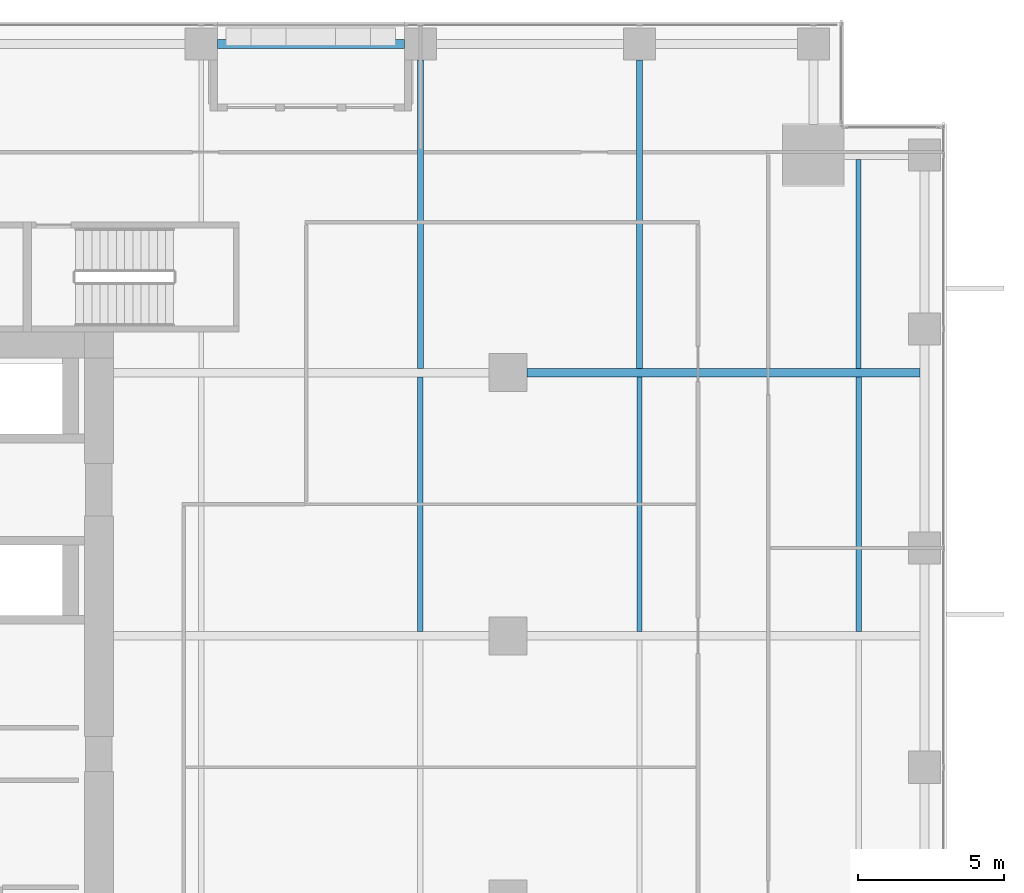
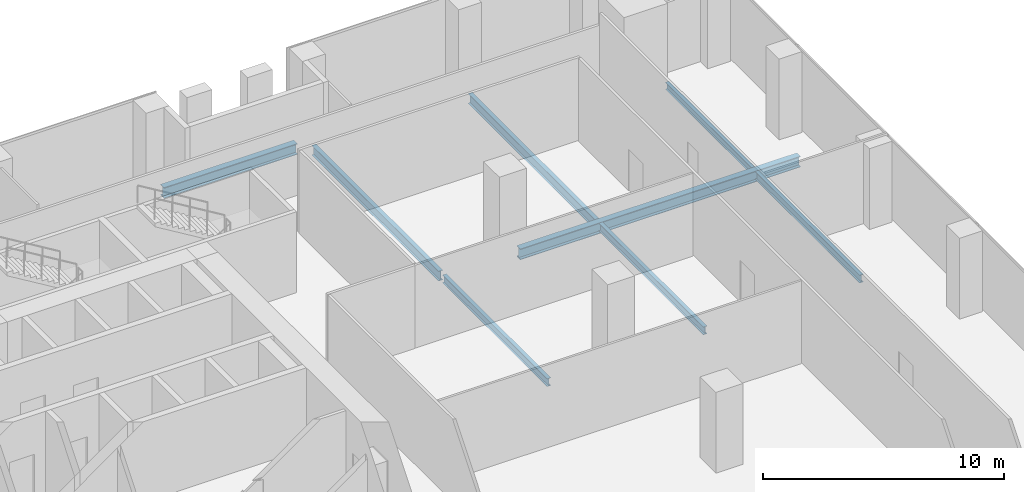
# One storey, part 18 of 34: 8 beams.
"""IFC4 building model written with IfcOpenShell, lengths in metres."""

from ifc_helpers import new_model, si_unit, direction, frame, origin, origin_2d, place, context, subcontext, project, spatial, i_section, extrude, source, transform, mapped, material, material_profile, profile_set, type_object, element, save


model = new_model("IFC4")

# Units and contexts
model_context = context("Model", 3, precision=1e-05, world=origin(), true_north=direction((0.0, 1.0)))
body_context = subcontext(model_context, "Body", "Model", "MODEL_VIEW")
ifc_project = project(units=[si_unit("LENGTHUNIT", "METRE"), si_unit("AREAUNIT", "SQUARE_METRE"), si_unit("VOLUMEUNIT", "CUBIC_METRE"), si_unit("PLANEANGLEUNIT", "RADIAN"), si_unit("MASSUNIT", "GRAM", prefix="KILO")], contexts=[model_context])

# Site, building, storey
site_placement = place(None, origin())
site = spatial("IfcSite", under=ifc_project, at=site_placement, CompositionType="ELEMENT")
building_placement = place(site_placement, origin())
building = spatial("IfcBuilding", under=site, at=building_placement, Name="Khomas Fold Tower", CompositionType="ELEMENT")
storey_placement = place(building_placement, frame((0.0, 0.0, 123.5)))
storey = spatial("IfcBuildingStorey", under=building, at=storey_placement, Name="L26", CompositionType="ELEMENT", Elevation=123.5)

# Beams
ifc_material_1 = material(Name="Steel S355", Category="steel")
ifc_material_profile_1 = material_profile(ifc_material_1, i_section(OverallWidth=0.179931640625, OverallDepth=0.39990234375, WebThickness=0.008544921875, FlangeThickness=0.013427734375, at=origin_2d()), Name="IPE 400")
ifc_profile_set_1 = profile_set([ifc_material_profile_1], Name="Steel S355")
beam_type_1 = type_object("IfcBeamType", Name="IPE 400 beam JB3", PredefinedType="BEAM", material=ifc_profile_set_1)
shared_shape_1 = source(origin(), body_context, "Body", "SweptSolid", [
    extrude(i_section(OverallWidth=0.179931640625, OverallDepth=0.39990234375, WebThickness=0.008544921875, FlangeThickness=0.013427734375, at=origin_2d()), origin(), (0.0, 0.0, 1.0), 8.7001953125),
])
for number, where, z_axis, x_axis, name in (
    (1, (34.5, 31.64990234375, -0.5), (0.0, 1.0, 0.0), (-1.0, 0.0, 0.0), "JB3"),
    (2, (42.0, 31.64990234375, -0.5), (0.0, 1.0, 0.0), (-1.0, 0.0, 0.0), "JB3"),
    (3, (49.5, 31.64990234375, -0.5), (0.0, 1.0, 0.0), (-1.0, 0.0, 0.0), "JB3"),
):
    element("IfcBeam", number, at=place(storey_placement, frame(where, z_axis=z_axis, x_axis=x_axis)), inside=storey, type_object=beam_type_1, Name=name, PredefinedType="BEAM", context=body_context, shape_type="MappedRepresentation", body=[
        mapped(shared_shape_1, transform((0.0, 0.0, 0.0))),
    ])
ifc_material_2 = material(Name="Steel S355", Category="steel")
ifc_material_profile_2 = material_profile(ifc_material_2, i_section(OverallWidth=0.169921875, OverallDepth=0.360107421875, WebThickness=0.008056640625, FlangeThickness=0.0126953125, at=origin_2d()), Name="IPE 360")
ifc_profile_set_2 = profile_set([ifc_material_profile_2], Name="Steel S355")
beam_type_2 = type_object("IfcBeamType", Name="IPE 360 beam JB2", PredefinedType="BEAM", material=ifc_profile_set_2)
shared_shape_2 = source(origin(), body_context, "Body", "SweptSolid", [
    extrude(i_section(OverallWidth=0.169921875, OverallDepth=0.360107421875, WebThickness=0.008056640625, FlangeThickness=0.0126953125, at=origin_2d()), origin(), (0.0, 0.0, 1.0), 7.150146484375),
])
beam_1_placement = place(storey_placement, frame((49.5, 40.64990234375, -0.47998046875), z_axis=(0.0, 1.0, 0.0), x_axis=(-1.0, 0.0, 0.0)))
element("IfcBeam", 4, at=beam_1_placement, inside=storey, type_object=beam_type_2, Name="JB2", PredefinedType="BEAM", context=body_context, shape_type="MappedRepresentation", body=[
    mapped(shared_shape_2, transform((0.0, 0.0, 0.0))),
])
ifc_material_3 = material(Name="Steel S355", Category="steel")
ifc_material_profile_3 = material_profile(ifc_material_3, i_section(OverallWidth=0.300048828125, OverallDepth=0.550048828125, WebThickness=0.014892578125, FlangeThickness=0.029052734375, at=origin_2d()), Name="HE 550 B")
ifc_profile_set_3 = profile_set([ifc_material_profile_3], Name="Steel S355")
beam_type_3 = type_object("IfcBeamType", Name="HE 550 B spandrel SB2", PredefinedType="SPANDREL", material=ifc_profile_set_3)
shared_shape_3 = source(origin(), body_context, "Body", "SweptSolid", [
    extrude(i_section(OverallWidth=0.300048828125, OverallDepth=0.550048828125, WebThickness=0.014892578125, FlangeThickness=0.029052734375, at=origin_2d()), origin(), (0.0, 0.0, 1.0), 6.39990234375),
])
beam_2_placement = place(storey_placement, frame((27.550048828125, 51.75, -0.574951171875), z_axis=(1.0, 0.0, 0.0), x_axis=(0.0, 1.0, 0.0)))
element("IfcBeam", 5, at=beam_2_placement, inside=storey, type_object=beam_type_3, Name="SB2", PredefinedType="SPANDREL", context=body_context, shape_type="MappedRepresentation", body=[
    mapped(shared_shape_3, transform((0.0, 0.0, 0.0))),
])
ifc_material_4 = material(Name="Steel S355", Category="steel")
ifc_material_profile_4 = material_profile(ifc_material_4, i_section(OverallWidth=0.300048828125, OverallDepth=0.550048828125, WebThickness=0.014892578125, FlangeThickness=0.029052734375, at=origin_2d()), Name="HE 550 B")
ifc_profile_set_4 = profile_set([ifc_material_profile_4], Name="Steel S355")
beam_type_4 = type_object("IfcBeamType", Name="HE 550 B beam GB4", PredefinedType="BEAM", material=ifc_profile_set_4)
shared_shape_4 = source(origin(), body_context, "Body", "SweptSolid", [
    extrude(i_section(OverallWidth=0.300048828125, OverallDepth=0.550048828125, WebThickness=0.014892578125, FlangeThickness=0.029052734375, at=origin_2d()), origin(), (0.0, 0.0, 1.0), 13.4501953125),
])
beam_3_placement = place(storey_placement, frame((38.14990234375, 40.5, -0.574951171875), z_axis=(1.0, 0.0, 0.0), x_axis=(0.0, 1.0, 0.0)))
element("IfcBeam", 6, at=beam_3_placement, inside=storey, type_object=beam_type_4, Name="GB4", PredefinedType="BEAM", context=body_context, shape_type="MappedRepresentation", body=[
    mapped(shared_shape_4, transform((0.0, 0.0, 0.0))),
])
ifc_material_5 = material(Name="Steel S355", Category="steel")
ifc_material_profile_5 = material_profile(ifc_material_5, i_section(OverallWidth=0.199951171875, OverallDepth=0.5, WebThickness=0.01025390625, FlangeThickness=0.01611328125, at=origin_2d()), Name="IPE 500")
ifc_profile_set_5 = profile_set([ifc_material_profile_5], Name="Steel S355")
beam_type_5 = type_object("IfcBeamType", Name="IPE 500 beam JB5", PredefinedType="BEAM", material=ifc_profile_set_5)
shared_shape_5 = source(origin(), body_context, "Body", "SweptSolid", [
    extrude(i_section(OverallWidth=0.199951171875, OverallDepth=0.5, WebThickness=0.01025390625, FlangeThickness=0.01611328125, at=origin_2d()), origin(), (0.0, 0.0, 1.0), 10.550048828125),
])
for number, where, z_axis, x_axis, name in (
    (7, (34.5, 40.64990234375, -0.550048828125), (0.0, 1.0, 0.0), (-1.0, 0.0, 0.0), "JB5"),
    (8, (42.0, 40.64990234375, -0.550048828125), (0.0, 1.0, 0.0), (-1.0, 0.0, 0.0), "JB5"),
):
    element("IfcBeam", number, at=place(storey_placement, frame(where, z_axis=z_axis, x_axis=x_axis)), inside=storey, type_object=beam_type_5, Name=name, PredefinedType="BEAM", context=body_context, shape_type="MappedRepresentation", body=[
        mapped(shared_shape_5, transform((0.0, 0.0, 0.0))),
    ])

save(model, "model.ifc")
